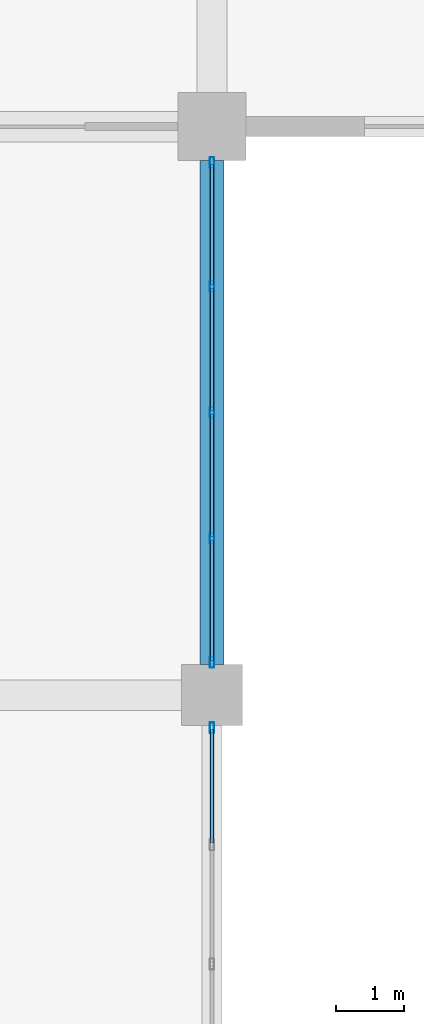
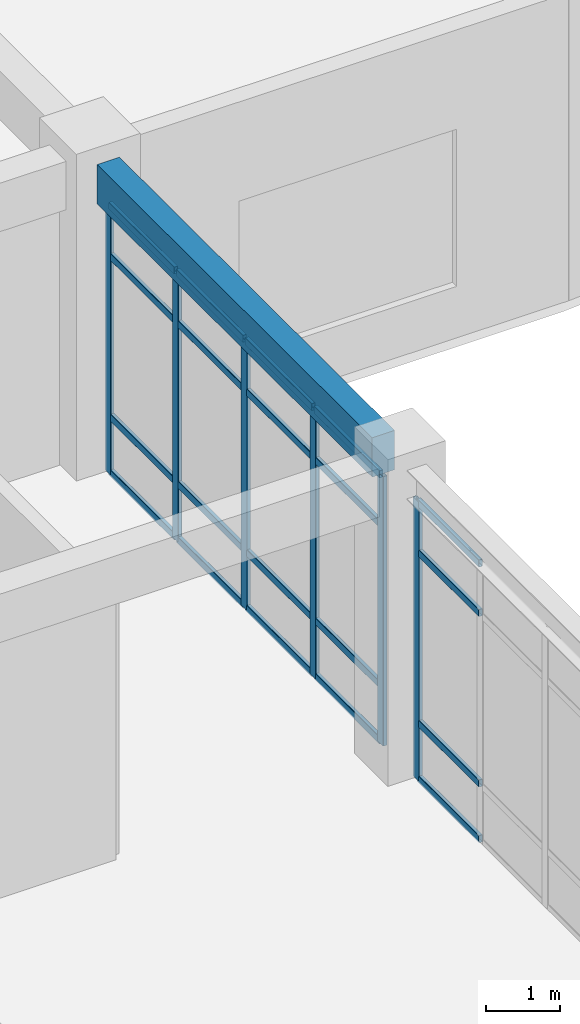
# One storey, part 69 of 114: 26 members, 1 beam, 2 elements without a shape of their own.
"""IFC4 building model written with IfcOpenShell, lengths in metres."""

from ifc_helpers import new_model, si_unit, derived_unit, direction, frame, origin, origin_2d, place, context, subcontext, project, spatial, rectangle, hollow_rectangle, extrude, material, layer, layer_set, material_profile, profile_set, type_object, element, aggregate, save


model = new_model("IFC4")

# Units and contexts
model_context = context("Model", 3, precision=1e-05, world=origin(), true_north=direction((0.0, 1.0)))
body_context = subcontext(model_context, "Body", "Model", "MODEL_VIEW")
ifc_project = project(units=[si_unit("LENGTHUNIT", "METRE"), si_unit("AREAUNIT", "SQUARE_METRE"), si_unit("VOLUMEUNIT", "CUBIC_METRE"), si_unit("PLANEANGLEUNIT", "RADIAN"), si_unit("MASSUNIT", "GRAM", prefix="KILO"), derived_unit("THERMALTRANSMITTANCEUNIT", [(si_unit("MASSUNIT", "GRAM", prefix="KILO"), 1), (si_unit("TIMEUNIT", "SECOND"), -3), (si_unit("THERMODYNAMICTEMPERATUREUNIT", "KELVIN"), -1)])], contexts=[model_context])

# Site, building, storey
site_placement = place(None, origin())
site = spatial("IfcSite", under=ifc_project, at=site_placement, CompositionType="ELEMENT")
building_placement = place(site_placement, origin())
building = spatial("IfcBuilding", under=site, at=building_placement, Name="Qinzheling Arcade Emporium", CompositionType="ELEMENT")
storey_placement = place(building_placement, frame((0.0, 0.0, 6.0)))
storey = spatial("IfcBuildingStorey", under=building, at=storey_placement, Name="L02", CompositionType="ELEMENT", Elevation=6.0)

# Curtain wall, members
ifc_material_1 = material(Name="Anodised aluminium and solar-control double glazing", Category="aluminium")
ifc_layer = layer(ifc_material_1, 0.159912109375, Name="Anodised aluminium and solar-control double glazing", Category="aluminium")
ifc_layer_set = layer_set([ifc_layer], Name="Anodised aluminium and solar-control double glazing")
curtain_wall_type = type_object("IfcCurtainWallType", Name="Arcade Portal Glazed Curtain Wall", PredefinedType="NOTDEFINED", material=ifc_layer_set)
curtain_wall_1_placement = place(storey_placement, origin())
curtain_wall_1 = element("IfcCurtainWall", 1, at=curtain_wall_1_placement, inside=storey, type_object=curtain_wall_type, Name="Curtain Wall CW-L02-122", PredefinedType="NOTDEFINED")
ifc_material_2 = material(Name="Anodised aluminium 6063-T6", Category="aluminium")
ifc_material_profile_1 = material_profile(ifc_material_2, hollow_rectangle(XDim=0.06005859375, YDim=0.159912109375, WallThickness=0.00390625, InnerFilletRadius=0.00390625, OuterFilletRadius=0.008056640625, at=origin_2d()), Name="RHS 160x60x4", Category="aluminium")
ifc_profile_set_1 = profile_set([ifc_material_profile_1], Name="Anodised aluminium 6063-T6")
member_type_1 = type_object("IfcMemberType", Name="Curtain Wall Mullion RHS160x60", PredefinedType="MULLION", material=ifc_profile_set_1)
member_1_placement = place(storey_placement, frame((130.5, 73.26806640625, 0.0), z_axis=(0.0, 0.0, 1.0), x_axis=(1.0, 0.0, 0.0)))
member_1 = element("IfcMember", 2, at=member_1_placement, type_object=member_type_1, Name="CW05 mullion 1", PredefinedType="MULLION", context=body_context, shape_type="SweptSolid", body=[
    extrude(hollow_rectangle(XDim=0.06005859375, YDim=0.159912109375, WallThickness=0.00390625, InnerFilletRadius=0.00390625, OuterFilletRadius=0.008056640625, at=origin_2d()), origin(), (0.0, 0.0, 1.0), 4.455078125),
])
member_2_placement = place(storey_placement, frame((130.5, 71.4365234375, 0.0), z_axis=(0.0, 0.0, 1.0), x_axis=(1.0, 0.0, 0.0)))
member_2 = element("IfcMember", 3, at=member_2_placement, type_object=member_type_1, Name="CW05 mullion 2", PredefinedType="MULLION", context=body_context, shape_type="SweptSolid", body=[
    extrude(hollow_rectangle(XDim=0.06005859375, YDim=0.159912109375, WallThickness=0.00390625, InnerFilletRadius=0.00390625, OuterFilletRadius=0.008056640625, at=origin_2d()), origin(), (0.0, 0.0, 1.0), 4.455078125),
])
member_3_placement = place(storey_placement, frame((130.5, 69.574951171875, 0.0), z_axis=(0.0, 0.0, 1.0), x_axis=(1.0, 0.0, 0.0)))
member_3 = element("IfcMember", 4, at=member_3_placement, type_object=member_type_1, Name="CW05 mullion 3", PredefinedType="MULLION", context=body_context, shape_type="SweptSolid", body=[
    extrude(hollow_rectangle(XDim=0.06005859375, YDim=0.159912109375, WallThickness=0.00390625, InnerFilletRadius=0.00390625, OuterFilletRadius=0.008056640625, at=origin_2d()), origin(), (0.0, 0.0, 1.0), 4.455078125),
])
member_4_placement = place(storey_placement, frame((130.5, 67.71337890625, 0.0), z_axis=(0.0, 0.0, 1.0), x_axis=(1.0, 0.0, 0.0)))
member_4 = element("IfcMember", 5, at=member_4_placement, type_object=member_type_1, Name="CW05 mullion 4", PredefinedType="MULLION", context=body_context, shape_type="SweptSolid", body=[
    extrude(hollow_rectangle(XDim=0.06005859375, YDim=0.159912109375, WallThickness=0.00390625, InnerFilletRadius=0.00390625, OuterFilletRadius=0.008056640625, at=origin_2d()), origin(), (0.0, 0.0, 1.0), 4.455078125),
])
member_5_placement = place(storey_placement, frame((130.5, 65.882080078125, 0.0), z_axis=(0.0, 0.0, 1.0), x_axis=(1.0, 0.0, 0.0)))
member_5 = element("IfcMember", 6, at=member_5_placement, type_object=member_type_1, Name="CW05 mullion 5", PredefinedType="MULLION", context=body_context, shape_type="SweptSolid", body=[
    extrude(hollow_rectangle(XDim=0.06005859375, YDim=0.159912109375, WallThickness=0.00390625, InnerFilletRadius=0.00390625, OuterFilletRadius=0.008056640625, at=origin_2d()), origin(), (0.0, 0.0, 1.0), 4.455078125),
])

# Curtain wall, member
curtain_wall_2_placement = place(storey_placement, origin())
curtain_wall_2 = element("IfcCurtainWall", 7, at=curtain_wall_2_placement, inside=storey, type_object=curtain_wall_type, Name="Curtain Wall CW-L02-123", PredefinedType="NOTDEFINED")
member_6_placement = place(storey_placement, frame((130.5, 64.91796875, 0.0), z_axis=(0.0, 0.0, 1.0), x_axis=(1.0, 0.0, 0.0)))
member_6 = element("IfcMember", 8, at=member_6_placement, type_object=member_type_1, Name="CW05 mullion 1", PredefinedType="MULLION", context=body_context, shape_type="SweptSolid", body=[
    extrude(hollow_rectangle(XDim=0.06005859375, YDim=0.159912109375, WallThickness=0.00390625, InnerFilletRadius=0.00390625, OuterFilletRadius=0.008056640625, at=origin_2d()), origin(), (0.0, 0.0, 1.0), 4.616943359375),
])

# Member
ifc_material_profile_2 = material_profile(ifc_material_2, hollow_rectangle(XDim=0.06005859375, YDim=0.1201171875, WallThickness=0.00390625, InnerFilletRadius=0.00390625, OuterFilletRadius=0.008056640625, at=origin_2d()), Name="RHS 120x60x4", Category="aluminium")
ifc_profile_set_2 = profile_set([ifc_material_profile_2], Name="Anodised aluminium 6063-T6")
member_type_2 = type_object("IfcMemberType", Name="Curtain Wall Transom RHS120x60", PredefinedType="USERDEFINED", material=ifc_profile_set_2)
member_7_placement = place(storey_placement, frame((130.5, 73.238037109375, 0.030029296875), z_axis=(0.0, -1.0, 0.0), x_axis=(1.0, 0.0, 0.0)))
member_7 = element("IfcMember", 9, at=member_7_placement, type_object=member_type_2, Name="CW05 transom 1.1", ObjectType="TRANSOM", PredefinedType="USERDEFINED", context=body_context, shape_type="SweptSolid", body=[
    extrude(hollow_rectangle(XDim=0.06005859375, YDim=0.1201171875, WallThickness=0.00390625, InnerFilletRadius=0.00390625, OuterFilletRadius=0.008056640625, at=origin_2d()), origin(), (0.0, 0.0, 1.0), 1.771484375),
])

member_8_placement = place(storey_placement, frame((130.5, 73.238037109375, 0.949951171875), z_axis=(0.0, -1.0, 0.0), x_axis=(1.0, 0.0, 0.0)))
member_8 = element("IfcMember", 10, at=member_8_placement, type_object=member_type_2, Name="CW05 transom 1.2", ObjectType="TRANSOM", PredefinedType="USERDEFINED", context=body_context, shape_type="SweptSolid", body=[
    extrude(hollow_rectangle(XDim=0.06005859375, YDim=0.1201171875, WallThickness=0.00390625, InnerFilletRadius=0.00390625, OuterFilletRadius=0.008056640625, at=origin_2d()), origin(), (0.0, 0.0, 1.0), 1.771484375),
])

member_9_placement = place(storey_placement, frame((130.5, 73.238037109375, 3.60498046875), z_axis=(0.0, -1.0, 0.0), x_axis=(1.0, 0.0, 0.0)))
member_9 = element("IfcMember", 11, at=member_9_placement, type_object=member_type_2, Name="CW05 transom 1.3", ObjectType="TRANSOM", PredefinedType="USERDEFINED", context=body_context, shape_type="SweptSolid", body=[
    extrude(hollow_rectangle(XDim=0.06005859375, YDim=0.1201171875, WallThickness=0.00390625, InnerFilletRadius=0.00390625, OuterFilletRadius=0.008056640625, at=origin_2d()), origin(), (0.0, 0.0, 1.0), 1.771484375),
])

member_10_placement = place(storey_placement, frame((130.5, 73.238037109375, 4.425048828125), z_axis=(0.0, -1.0, 0.0), x_axis=(1.0, 0.0, 0.0)))
member_10 = element("IfcMember", 12, at=member_10_placement, type_object=member_type_2, Name="CW05 transom 1.4", ObjectType="TRANSOM", PredefinedType="USERDEFINED", context=body_context, shape_type="SweptSolid", body=[
    extrude(hollow_rectangle(XDim=0.06005859375, YDim=0.1201171875, WallThickness=0.00390625, InnerFilletRadius=0.00390625, OuterFilletRadius=0.008056640625, at=origin_2d()), origin(), (0.0, 0.0, 1.0), 1.771484375),
])

member_11_placement = place(storey_placement, frame((130.5, 71.406494140625, 0.030029296875), z_axis=(0.0, -1.0, 0.0), x_axis=(1.0, 0.0, 0.0)))
member_11 = element("IfcMember", 13, at=member_11_placement, type_object=member_type_2, Name="CW05 transom 2.1", ObjectType="TRANSOM", PredefinedType="USERDEFINED", context=body_context, shape_type="SweptSolid", body=[
    extrude(hollow_rectangle(XDim=0.06005859375, YDim=0.1201171875, WallThickness=0.00390625, InnerFilletRadius=0.00390625, OuterFilletRadius=0.008056640625, at=origin_2d()), origin(), (0.0, 0.0, 1.0), 1.801513671875),
])

member_12_placement = place(storey_placement, frame((130.5, 71.406494140625, 0.949951171875), z_axis=(0.0, -1.0, 0.0), x_axis=(1.0, 0.0, 0.0)))
member_12 = element("IfcMember", 14, at=member_12_placement, type_object=member_type_2, Name="CW05 transom 2.2", ObjectType="TRANSOM", PredefinedType="USERDEFINED", context=body_context, shape_type="SweptSolid", body=[
    extrude(hollow_rectangle(XDim=0.06005859375, YDim=0.1201171875, WallThickness=0.00390625, InnerFilletRadius=0.00390625, OuterFilletRadius=0.008056640625, at=origin_2d()), origin(), (0.0, 0.0, 1.0), 1.801513671875),
])

member_13_placement = place(storey_placement, frame((130.5, 71.406494140625, 3.60498046875), z_axis=(0.0, -1.0, 0.0), x_axis=(1.0, 0.0, 0.0)))
member_13 = element("IfcMember", 15, at=member_13_placement, type_object=member_type_2, Name="CW05 transom 2.3", ObjectType="TRANSOM", PredefinedType="USERDEFINED", context=body_context, shape_type="SweptSolid", body=[
    extrude(hollow_rectangle(XDim=0.06005859375, YDim=0.1201171875, WallThickness=0.00390625, InnerFilletRadius=0.00390625, OuterFilletRadius=0.008056640625, at=origin_2d()), origin(), (0.0, 0.0, 1.0), 1.801513671875),
])

member_14_placement = place(storey_placement, frame((130.5, 71.406494140625, 4.425048828125), z_axis=(0.0, -1.0, 0.0), x_axis=(1.0, 0.0, 0.0)))
member_14 = element("IfcMember", 16, at=member_14_placement, type_object=member_type_2, Name="CW05 transom 2.4", ObjectType="TRANSOM", PredefinedType="USERDEFINED", context=body_context, shape_type="SweptSolid", body=[
    extrude(hollow_rectangle(XDim=0.06005859375, YDim=0.1201171875, WallThickness=0.00390625, InnerFilletRadius=0.00390625, OuterFilletRadius=0.008056640625, at=origin_2d()), origin(), (0.0, 0.0, 1.0), 1.801513671875),
])

member_15_placement = place(storey_placement, frame((130.5, 69.544921875, 0.030029296875), z_axis=(0.0, -1.0, 0.0), x_axis=(1.0, 0.0, 0.0)))
member_15 = element("IfcMember", 17, at=member_15_placement, type_object=member_type_2, Name="CW05 transom 3.1", ObjectType="TRANSOM", PredefinedType="USERDEFINED", context=body_context, shape_type="SweptSolid", body=[
    extrude(hollow_rectangle(XDim=0.06005859375, YDim=0.1201171875, WallThickness=0.00390625, InnerFilletRadius=0.00390625, OuterFilletRadius=0.008056640625, at=origin_2d()), origin(), (0.0, 0.0, 1.0), 1.801513671875),
])

member_16_placement = place(storey_placement, frame((130.5, 69.544921875, 0.949951171875), z_axis=(0.0, -1.0, 0.0), x_axis=(1.0, 0.0, 0.0)))
member_16 = element("IfcMember", 18, at=member_16_placement, type_object=member_type_2, Name="CW05 transom 3.2", ObjectType="TRANSOM", PredefinedType="USERDEFINED", context=body_context, shape_type="SweptSolid", body=[
    extrude(hollow_rectangle(XDim=0.06005859375, YDim=0.1201171875, WallThickness=0.00390625, InnerFilletRadius=0.00390625, OuterFilletRadius=0.008056640625, at=origin_2d()), origin(), (0.0, 0.0, 1.0), 1.801513671875),
])

member_17_placement = place(storey_placement, frame((130.5, 69.544921875, 3.60498046875), z_axis=(0.0, -1.0, 0.0), x_axis=(1.0, 0.0, 0.0)))
member_17 = element("IfcMember", 19, at=member_17_placement, type_object=member_type_2, Name="CW05 transom 3.3", ObjectType="TRANSOM", PredefinedType="USERDEFINED", context=body_context, shape_type="SweptSolid", body=[
    extrude(hollow_rectangle(XDim=0.06005859375, YDim=0.1201171875, WallThickness=0.00390625, InnerFilletRadius=0.00390625, OuterFilletRadius=0.008056640625, at=origin_2d()), origin(), (0.0, 0.0, 1.0), 1.801513671875),
])

member_18_placement = place(storey_placement, frame((130.5, 69.544921875, 4.425048828125), z_axis=(0.0, -1.0, 0.0), x_axis=(1.0, 0.0, 0.0)))
member_18 = element("IfcMember", 20, at=member_18_placement, type_object=member_type_2, Name="CW05 transom 3.4", ObjectType="TRANSOM", PredefinedType="USERDEFINED", context=body_context, shape_type="SweptSolid", body=[
    extrude(hollow_rectangle(XDim=0.06005859375, YDim=0.1201171875, WallThickness=0.00390625, InnerFilletRadius=0.00390625, OuterFilletRadius=0.008056640625, at=origin_2d()), origin(), (0.0, 0.0, 1.0), 1.801513671875),
])

member_19_placement = place(storey_placement, frame((130.5, 67.68359375, 0.030029296875), z_axis=(0.0, -1.0, 0.0), x_axis=(1.0, 0.0, 0.0)))
member_19 = element("IfcMember", 21, at=member_19_placement, type_object=member_type_2, Name="CW05 transom 4.1", ObjectType="TRANSOM", PredefinedType="USERDEFINED", context=body_context, shape_type="SweptSolid", body=[
    extrude(hollow_rectangle(XDim=0.06005859375, YDim=0.1201171875, WallThickness=0.00390625, InnerFilletRadius=0.00390625, OuterFilletRadius=0.008056640625, at=origin_2d()), origin(), (0.0, 0.0, 1.0), 1.771484375),
])

member_20_placement = place(storey_placement, frame((130.5, 67.68359375, 0.949951171875), z_axis=(0.0, -1.0, 0.0), x_axis=(1.0, 0.0, 0.0)))
member_20 = element("IfcMember", 22, at=member_20_placement, type_object=member_type_2, Name="CW05 transom 4.2", ObjectType="TRANSOM", PredefinedType="USERDEFINED", context=body_context, shape_type="SweptSolid", body=[
    extrude(hollow_rectangle(XDim=0.06005859375, YDim=0.1201171875, WallThickness=0.00390625, InnerFilletRadius=0.00390625, OuterFilletRadius=0.008056640625, at=origin_2d()), origin(), (0.0, 0.0, 1.0), 1.771484375),
])

member_21_placement = place(storey_placement, frame((130.5, 67.68359375, 3.60498046875), z_axis=(0.0, -1.0, 0.0), x_axis=(1.0, 0.0, 0.0)))
member_21 = element("IfcMember", 23, at=member_21_placement, type_object=member_type_2, Name="CW05 transom 4.3", ObjectType="TRANSOM", PredefinedType="USERDEFINED", context=body_context, shape_type="SweptSolid", body=[
    extrude(hollow_rectangle(XDim=0.06005859375, YDim=0.1201171875, WallThickness=0.00390625, InnerFilletRadius=0.00390625, OuterFilletRadius=0.008056640625, at=origin_2d()), origin(), (0.0, 0.0, 1.0), 1.771484375),
])

member_22_placement = place(storey_placement, frame((130.5, 67.68359375, 4.425048828125), z_axis=(0.0, -1.0, 0.0), x_axis=(1.0, 0.0, 0.0)))
member_22 = element("IfcMember", 24, at=member_22_placement, type_object=member_type_2, Name="CW05 transom 4.4", ObjectType="TRANSOM", PredefinedType="USERDEFINED", context=body_context, shape_type="SweptSolid", body=[
    extrude(hollow_rectangle(XDim=0.06005859375, YDim=0.1201171875, WallThickness=0.00390625, InnerFilletRadius=0.00390625, OuterFilletRadius=0.008056640625, at=origin_2d()), origin(), (0.0, 0.0, 1.0), 1.771484375),
])

aggregate(curtain_wall_1, [member_1, member_2, member_3, member_4, member_5, member_7, member_8, member_9, member_10, member_11, member_12, member_13, member_14, member_15, member_16, member_17, member_18, member_19, member_20, member_21, member_22])

member_23_placement = place(storey_placement, frame((130.5, 64.887939453125, 0.030029296875), z_axis=(0.0, -1.0, 0.0), x_axis=(1.0, 0.0, 0.0)))
member_23 = element("IfcMember", 25, at=member_23_placement, type_object=member_type_2, Name="CW05 transom 1.1", ObjectType="TRANSOM", PredefinedType="USERDEFINED", context=body_context, shape_type="SweptSolid", body=[
    extrude(hollow_rectangle(XDim=0.06005859375, YDim=0.1201171875, WallThickness=0.00390625, InnerFilletRadius=0.00390625, OuterFilletRadius=0.008056640625, at=origin_2d()), origin(), (0.0, 0.0, 1.0), 1.67138671875),
])

member_24_placement = place(storey_placement, frame((130.5, 64.887939453125, 0.949951171875), z_axis=(0.0, -1.0, 0.0), x_axis=(1.0, 0.0, 0.0)))
member_24 = element("IfcMember", 26, at=member_24_placement, type_object=member_type_2, Name="CW05 transom 1.2", ObjectType="TRANSOM", PredefinedType="USERDEFINED", context=body_context, shape_type="SweptSolid", body=[
    extrude(hollow_rectangle(XDim=0.06005859375, YDim=0.1201171875, WallThickness=0.00390625, InnerFilletRadius=0.00390625, OuterFilletRadius=0.008056640625, at=origin_2d()), origin(), (0.0, 0.0, 1.0), 1.67138671875),
])

member_25_placement = place(storey_placement, frame((130.5, 64.887939453125, 3.76708984375), z_axis=(0.0, -1.0, 0.0), x_axis=(1.0, 0.0, 0.0)))
member_25 = element("IfcMember", 27, at=member_25_placement, type_object=member_type_2, Name="CW05 transom 1.3", ObjectType="TRANSOM", PredefinedType="USERDEFINED", context=body_context, shape_type="SweptSolid", body=[
    extrude(hollow_rectangle(XDim=0.06005859375, YDim=0.1201171875, WallThickness=0.00390625, InnerFilletRadius=0.00390625, OuterFilletRadius=0.008056640625, at=origin_2d()), origin(), (0.0, 0.0, 1.0), 1.67138671875),
])

member_26_placement = place(storey_placement, frame((130.5, 64.887939453125, 4.5869140625), z_axis=(0.0, -1.0, 0.0), x_axis=(1.0, 0.0, 0.0)))
member_26 = element("IfcMember", 28, at=member_26_placement, type_object=member_type_2, Name="CW05 transom 1.4", ObjectType="TRANSOM", PredefinedType="USERDEFINED", context=body_context, shape_type="SweptSolid", body=[
    extrude(hollow_rectangle(XDim=0.06005859375, YDim=0.1201171875, WallThickness=0.00390625, InnerFilletRadius=0.00390625, OuterFilletRadius=0.008056640625, at=origin_2d()), origin(), (0.0, 0.0, 1.0), 1.67138671875),
])

aggregate(curtain_wall_2, [member_6, member_23, member_24, member_25, member_26])

# Beam
ifc_material_3 = material(Name="Concrete C40", Category="concrete")
ifc_material_profile_3 = material_profile(ifc_material_3, rectangle(XDim=0.35009765625, YDim=0.64990234375, at=origin_2d()), Name="RC 350x650", Category="concrete")
ifc_profile_set_3 = profile_set([ifc_material_profile_3], Name="Concrete C40")
beam_type = type_object("IfcBeamType", Name="RC Spandrel Edge Beam 350x650 C40", PredefinedType="SPANDREL", material=ifc_profile_set_3)
beam_placement = place(storey_placement, frame((130.5, 65.85009765625, 4.794921875), z_axis=(0.0, 1.0, 0.0), x_axis=(-1.0, 0.0, 0.0)))
element("IfcBeam", 29, at=beam_placement, inside=storey, type_object=beam_type, Name="Beam BM-L02-Y-16-H", PredefinedType="SPANDREL", context=body_context, shape_type="SweptSolid", body=[
    extrude(rectangle(XDim=0.35009765625, YDim=0.64990234375, at=origin_2d()), origin(), (0.0, 0.0, 1.0), 7.449951171875),
])

save(model, "model.ifc")
